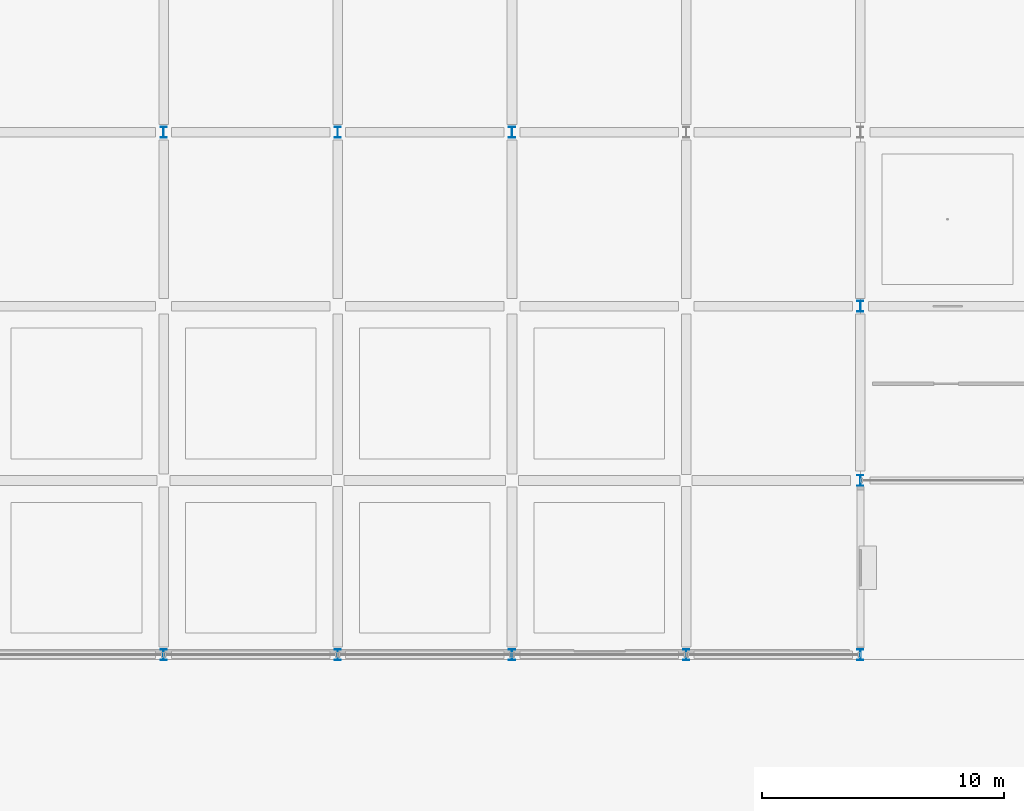
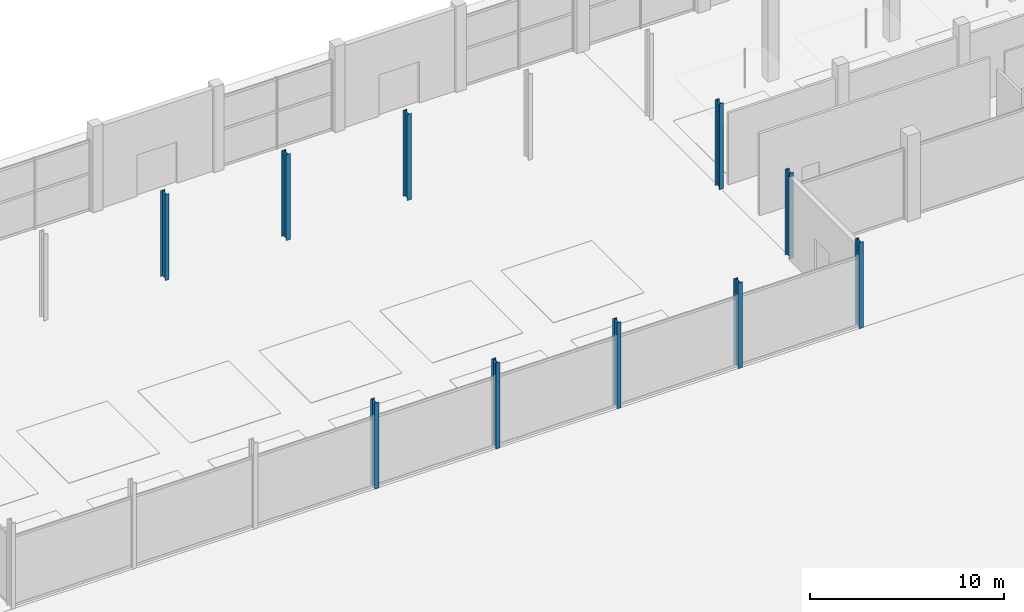
# One storey, part 7 of 90: 10 columns.
"""IFC4 building model written with IfcOpenShell, lengths in metres."""

import ifcopenshell
import ifcopenshell.guid

model = None  # the IFC model being written
_history = None  # IfcOwnerHistory: only IFC2X3 demands one
_inside = {}  # id of a spatial element -> (the spatial element, [elements in it])
_under = {}  # id of a project, library or spatial element -> (it, [spatial elements below it])
_declared = {}  # id of a project -> (the project, [libraries it declares])
_typed = {}  # id of a type object -> (the type object, [elements of that type])
_made_of = {}  # id of a material, layer set ... -> (it, [elements and type objects made of it])


def new_model(schema):
    """Start an empty IFC model of exactly this schema.

    Asked for "IFC4X3", IfcOpenShell would pick the latest addendum, in which some entities
    have other attributes; the version numbers below select the first issue.
    IFC2X3 requires an IfcOwnerHistory on every rooted entity: one is made here for all.
    """
    global model, _history
    if schema == "IFC4X3":
        model = ifcopenshell.file(schema_version=(4, 3, 0, 0))
    else:
        model = ifcopenshell.file(schema=schema)
    _inside.clear()
    _under.clear()
    _declared.clear()
    _typed.clear()
    _made_of.clear()
    _history = None
    if model.schema == "IFC2X3":
        org = make("IfcOrganization", Name="unknown")
        user = make(
            "IfcPersonAndOrganization",
            ThePerson=make("IfcPerson", FamilyName="unknown"),
            TheOrganization=org,
        )
        app = make(
            "IfcApplication",
            ApplicationDeveloper=org,
            Version="unknown",
            ApplicationFullName="unknown",
            ApplicationIdentifier="unknown",
        )
        _history = make(
            "IfcOwnerHistory",
            OwningUser=user,
            OwningApplication=app,
            ChangeAction="ADDED",
            CreationDate=0,
        )
    return model


def make(cls, **values):
    """One entity of the class cls with the attributes given. An attribute that is None is left unset."""
    return model.create_entity(
        cls, **{name: value for name, value in values.items() if value is not None}
    )


def rooted(cls, **values):
    """An entity with a GlobalId (a new one), such as an element, a storey or a relation."""
    return make(cls, GlobalId=ifcopenshell.guid.new(), OwnerHistory=_history, **values)


def si_unit(unit_type, name, prefix=None):
    """IfcSIUnit, for example si_unit("LENGTHUNIT", "METRE", prefix="MILLI")."""
    return make("IfcSIUnit", UnitType=unit_type, Prefix=prefix, Name=name)


def assignment(units):
    """IfcUnitAssignment: the units of a project."""
    return None if units is None else make("IfcUnitAssignment", Units=units)


def point(xyz):
    """IfcCartesianPoint."""
    return None if xyz is None else make("IfcCartesianPoint", Coordinates=xyz)


def direction(xyz):
    """IfcDirection."""
    return None if xyz is None else make("IfcDirection", DirectionRatios=xyz)


def frame(location, z_axis=None, x_axis=None):
    """IfcAxis2Placement3D, a coordinate frame: its origin and axes. An axis left out is left unset."""
    return make(
        "IfcAxis2Placement3D",
        Location=point(location),
        Axis=direction(z_axis),
        RefDirection=direction(x_axis),
    )


def frame_2d(location, x_axis=None):
    """IfcAxis2Placement2D, a coordinate frame in the plane: its origin and x axis."""
    return make(
        "IfcAxis2Placement2D", Location=point(location), RefDirection=direction(x_axis)
    )


def origin():
    """The frame at (0, 0, 0) with its axes left unset."""
    return frame((0.0, 0.0, 0.0))


def origin_2d():
    """The frame at (0, 0) in the plane with its x axis left unset."""
    return frame_2d((0.0, 0.0))


def place(relative_to, where):
    """IfcLocalPlacement: puts the frame where relative to a parent placement (None: the world)."""
    return make(
        "IfcLocalPlacement", PlacementRelTo=relative_to, RelativePlacement=where
    )


def context(
    kind, dimensions, precision=None, world=None, true_north=None, identifier=None
):
    """IfcGeometricRepresentationContext, for example the 3D "Model" context."""
    return make(
        "IfcGeometricRepresentationContext",
        ContextIdentifier=identifier,
        ContextType=kind,
        CoordinateSpaceDimension=dimensions,
        Precision=precision,
        WorldCoordinateSystem=world,
        TrueNorth=true_north,
    )


def subcontext(parent, identifier, kind, view, scale=None):
    """IfcGeometricRepresentationSubContext, for example "Body" below "Model"."""
    return make(
        "IfcGeometricRepresentationSubContext",
        ContextIdentifier=identifier,
        ContextType=kind,
        ParentContext=parent,
        TargetScale=scale,
        TargetView=view,
    )


def project(units=None, contexts=None):
    """IfcProject with its units and contexts."""
    return rooted(
        "IfcProject",
        Name="project",
        RepresentationContexts=contexts,
        UnitsInContext=assignment(units),
    )


def spatial(cls, under=None, at=None, **own):
    """A site, building, storey or space (cls), placed at a placement, below another one or the project."""
    s = rooted(cls, ObjectPlacement=at, **own)
    if under is not None:
        _under.setdefault(under.id(), (under, []))[1].append(s)
    return s


def profile(cls, at=None, kind="AREA", **sizes):
    """A parametric profile (cls). Its sizes go by their IFC names, for example OverallWidth=200.0."""
    return make(cls, ProfileType=kind, Position=at, **sizes)


def i_section(**sizes):
    """IfcIShapeProfileDef."""
    return profile("IfcIShapeProfileDef", **sizes)


def extrude(swept, where, along, depth):
    """IfcExtrudedAreaSolid: the profile swept, set in the frame where, extruded along a direction by depth."""
    return make(
        "IfcExtrudedAreaSolid",
        SweptArea=swept,
        Position=where,
        ExtrudedDirection=direction(along),
        Depth=depth,
    )


def shape(context_of_items, identifier, shape_type, items):
    """IfcShapeRepresentation: the items that make up one representation, for example the "Body"."""
    return make(
        "IfcShapeRepresentation",
        ContextOfItems=context_of_items,
        RepresentationIdentifier=identifier,
        RepresentationType=shape_type,
        Items=items,
    )


def material(Name=None, Category=None):
    """IfcMaterial."""
    return make("IfcMaterial", Name=Name, Category=Category)


def material_profile(
    of_material, cross_section, Name=None, Category=None, Priority=None
):
    """IfcMaterialProfile: a cross section and its material."""
    return make(
        "IfcMaterialProfile",
        Name=Name,
        Material=of_material,
        Profile=cross_section,
        Priority=Priority,
        Category=Category,
    )


def profile_set(profiles, Name=None, composite=None):
    """IfcMaterialProfileSet."""
    return make(
        "IfcMaterialProfileSet",
        Name=Name,
        MaterialProfiles=profiles,
        CompositeProfile=composite,
    )


def made_of(thing, what):
    """Note that an element or type object is made of a material, layer set ...; save() writes the relation."""
    if what is not None:
        _made_of.setdefault(what.id(), (what, []))[1].append(thing)
    return thing


def type_object(cls, material=None, **own):
    """A type object (cls), such as IfcWallType, which elements share."""
    return made_of(rooted(cls, **own), material)


def element(
    cls,
    number,
    at=None,
    inside=None,
    cuts=None,
    type_object=None,
    material=None,
    context=None,
    identifier="Body",
    shape_type=None,
    held_by="IfcProductDefinitionShape",
    body=None,
    shapes=None,
    **own,
):
    """One element of the class cls, such as IfcWall. Its Tag is "e" and its number.

    at: its placement. inside: the storey or other place that contains it. cuts: it is an
    opening in that element (IfcRelVoidsElement). A single representation is given by context,
    identifier, shape_type and body (its items); several are given by shapes. held_by: the class
    of the entity that holds the representations. save() writes the other relations.
    """
    e = rooted(cls, Tag="e%d" % number, ObjectPlacement=at, **own)
    if body is not None:
        shapes = [shape(context, identifier, shape_type, body)]
    if shapes is not None:
        e.Representation = make(held_by, Representations=shapes)
    if inside is not None:
        _inside.setdefault(inside.id(), (inside, []))[1].append(e)
    if cuts is not None:
        rooted(
            "IfcRelVoidsElement", RelatingBuildingElement=cuts, RelatedOpeningElement=e
        )
    if type_object is not None:
        _typed.setdefault(type_object.id(), (type_object, []))[1].append(e)
    return made_of(e, material)


def aggregate(whole, parts):
    """IfcRelAggregates: a whole, such as a stair, and the parts it consists of."""
    return rooted("IfcRelAggregates", RelatingObject=whole, RelatedObjects=parts)


def save(model, path):
    """Write the relations noted so far, then the file.

    IfcRelAggregates (storeys below a building ...), IfcRelContainedInSpatialStructure (elements
    in a storey), IfcRelDefinesByType, IfcRelAssociatesMaterial and IfcRelDeclares: one each for
    every whole, place, type object, material and project.
    """
    for whole, parts in _under.values():
        aggregate(whole, parts)
    for where, things in _inside.values():
        rooted(
            "IfcRelContainedInSpatialStructure",
            RelatedElements=things,
            RelatingStructure=where,
        )
    for kind, things in _typed.values():
        rooted("IfcRelDefinesByType", RelatedObjects=things, RelatingType=kind)
    for what, things in _made_of.values():
        rooted("IfcRelAssociatesMaterial", RelatedObjects=things, RelatingMaterial=what)
    for by, libraries in _declared.values():
        rooted("IfcRelDeclares", RelatingContext=by, RelatedDefinitions=libraries)
    model.write(path)


model = new_model("IFC4")

# Units and contexts
model_context = context("Model", 3, precision=1e-05, world=origin(), true_north=direction((0.0, 1.0)))
body_context = subcontext(model_context, "Body", "Model", "MODEL_VIEW")
ifc_project = project(units=[si_unit("LENGTHUNIT", "METRE"), si_unit("AREAUNIT", "SQUARE_METRE"), si_unit("VOLUMEUNIT", "CUBIC_METRE"), si_unit("PLANEANGLEUNIT", "RADIAN"), si_unit("MASSUNIT", "GRAM", prefix="KILO")], contexts=[model_context])

# Site, building, storey
site_placement = place(None, origin())
site = spatial("IfcSite", under=ifc_project, at=site_placement, CompositionType="ELEMENT")
building_placement = place(site_placement, origin())
building = spatial("IfcBuilding", under=site, at=building_placement, Name="Kangsadwip Square Police Headquarters", CompositionType="ELEMENT")
storey_placement = place(building_placement, origin())
storey = spatial("IfcBuildingStorey", under=building, at=storey_placement, Name="L00", CompositionType="ELEMENT", Elevation=0.0)

# Columns
ifc_material = material(Name="Structural steel IS 2062 E350 (Grade 350, 350 MPa)", Category="steel")
ifc_material_profile = material_profile(ifc_material, i_section(OverallWidth=0.25, OverallDepth=0.449951171875, WebThickness=0.01123046875, FlangeThickness=0.013671875, at=origin_2d()), Name="ISHB 450")
ifc_profile_set = profile_set([ifc_material_profile], Name="Structural steel IS 2062 E350 (Grade 350, 350 MPa)")
column_type = type_object("IfcColumnType", Name="SteelColIshb450", PredefinedType="COLUMN", material=ifc_profile_set)
for number, where, z_axis, x_axis, name in (
    (1, (64.800048828125, 86.39990234375, 0.0), (0.0, 0.0, 1.0), (1.0, 0.0, 0.0), "Column COL-L00-09-12"),
    (2, (64.800048828125, 108.0, 0.0), (0.0, 0.0, 1.0), (1.0, 0.0, 0.0), "Column COL-L00-09-15"),
    (3, (72.0, 86.39990234375, 0.0), (0.0, 0.0, 1.0), (1.0, 0.0, 0.0), "Column COL-L00-10-12"),
    (4, (72.0, 108.0, 0.0), (0.0, 0.0, 1.0), (1.0, 0.0, 0.0), "Column COL-L00-10-15"),
    (5, (79.199951171875, 86.39990234375, 0.0), (0.0, 0.0, 1.0), (1.0, 0.0, 0.0), "Column COL-L00-11-12"),
    (6, (79.199951171875, 108.0, 0.0), (0.0, 0.0, 1.0), (1.0, 0.0, 0.0), "Column COL-L00-11-15"),
    (7, (86.39990234375, 86.39990234375, 0.0), (0.0, 0.0, 1.0), (1.0, 0.0, 0.0), "Column COL-L00-12-12"),
    (8, (93.60009765625, 86.39990234375, 0.0), (0.0, 0.0, 1.0), (1.0, 0.0, 0.0), "Column COL-L00-13-12"),
    (9, (93.60009765625, 93.60009765625, 0.0), (0.0, 0.0, 1.0), (1.0, 0.0, 0.0), "Column COL-L00-13-13"),
    (10, (93.60009765625, 100.800048828125, 0.0), (0.0, 0.0, 1.0), (1.0, 0.0, 0.0), "Column COL-L00-13-14"),
):
    element("IfcColumn", number, at=place(storey_placement, frame(where, z_axis=z_axis, x_axis=x_axis)), inside=storey, type_object=column_type, Name=name, PredefinedType="COLUMN", context=body_context, shape_type="SweptSolid", body=[
        extrude(i_section(OverallWidth=0.25, OverallDepth=0.449951171875, WebThickness=0.01123046875, FlangeThickness=0.013671875, at=origin_2d()), origin(), (0.0, 0.0, 1.0), 5.39990234375),
    ])

save(model, "model.ifc")
